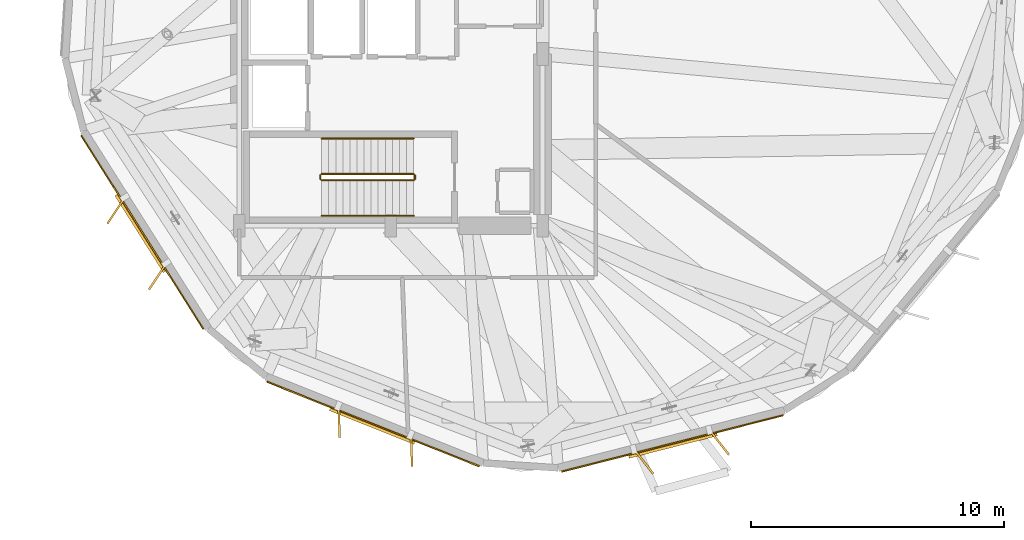
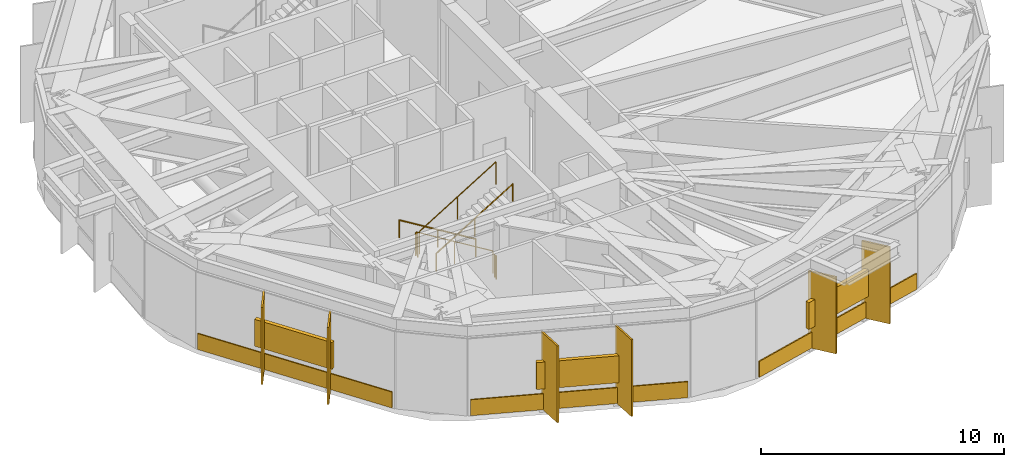
# One storey, part 11 of 13: 9 shading devices, 6 railings, 3 coverings.
"""IFC4 building model written with IfcOpenShell, lengths in metres."""

from ifc_helpers import new_model, si_unit, direction, frame, origin, origin_2d, place, context, subcontext, project, spatial, rectangle, circle, extrude, material, layer, layer_set, type_object, element, save


model = new_model("IFC4")

# Units and contexts
model_context = context("Model", 3, precision=1e-05, world=origin(), true_north=direction((0.0, 1.0)))
body_context = subcontext(model_context, "Body", "Model", "MODEL_VIEW")
ifc_project = project(units=[si_unit("LENGTHUNIT", "METRE"), si_unit("AREAUNIT", "SQUARE_METRE"), si_unit("VOLUMEUNIT", "CUBIC_METRE"), si_unit("PLANEANGLEUNIT", "RADIAN"), si_unit("MASSUNIT", "GRAM", prefix="KILO")], contexts=[model_context])

# Site, building, storey
site_placement = place(None, origin())
site = spatial("IfcSite", under=ifc_project, at=site_placement, CompositionType="ELEMENT")
building_placement = place(site_placement, origin())
building = spatial("IfcBuilding", under=site, at=building_placement, Name="Soratama Intermodal Tower", CompositionType="ELEMENT")
storey_placement = place(building_placement, frame((0.0, 0.0, 82.60009765625)))
storey = spatial("IfcBuildingStorey", under=building, at=storey_placement, Name="L19", CompositionType="ELEMENT", Elevation=82.60009765625)

# Coverings
ifc_material_1 = material(Name="Honed Andean limestone cladding", Category="masonry")
ifc_layer_1 = layer(ifc_material_1, 0.06005859375)
ifc_layer_set_1 = layer_set([ifc_layer_1], Name="Honed Andean limestone cladding")
covering_type = type_object("IfcCoveringType", Name="CV-STONE-CLAD", PredefinedType="CLADDING", material=ifc_layer_set_1)
for number, where, z_axis, x_axis, name in (
    (1, (28.76611328125, 14.7451171875, 0.0498046875), (0.0, 0.0, 1.0), (0.534057264801, -0.845448305879, 0.0), "L19 Stone Cladding F06"),
    (2, (37.89404296875, 7.16162109375, 0.0498046875), (0.0, 0.0, 1.0), (0.929003448964, -0.370071063192, 0.0), "L19 Stone Cladding F07"),
):
    element("IfcCovering", number, at=place(storey_placement, frame(where, z_axis=z_axis, x_axis=x_axis)), inside=storey, type_object=covering_type, Name=name, PredefinedType="CLADDING", context=body_context, shape_type="SweptSolid", body=[
        extrude(rectangle(XDim=9.044921875, YDim=0.06005859375, at=origin_2d()), origin(), (0.0, 0.0, 1.0), 0.800048828125),
    ])
covering_placement = place(storey_placement, frame((49.736328125, 6.3916015625, 0.0498046875), z_axis=(0.0, 0.0, 1.0), x_axis=(0.96910189129, 0.246660747381, 0.0)))
element("IfcCovering", 3, at=covering_placement, inside=storey, type_object=covering_type, Name="L19 Stone Cladding F08", PredefinedType="CLADDING", context=body_context, shape_type="SweptSolid", body=[
    extrude(rectangle(XDim=9.045166015625, YDim=0.06005859375, at=origin_2d()), origin(), (0.0, 0.0, 1.0), 0.800048828125),
])

# Railings
ifc_material_2 = material(Name="Painted steel stair guardrail", Category="steel")
railing_type_1 = type_object("IfcRailingType", Name="RL-STAIR-GUARD", PredefinedType="GUARDRAIL", material=ifc_material_2)
railing_1_placement = place(storey_placement, frame((39.5, 17.050048828125, 0.17138671875)))
element("IfcRailing", 4, at=railing_1_placement, inside=storey, type_object=railing_type_1, Name="L19 ST-1 stair guard 1", PredefinedType="GUARDRAIL", context=body_context, shape_type="SweptSolid", body=[
    extrude(circle(Radius=0.02392578125, at=origin_2d()), frame((0.0, 0.0, 1.1259765625), z_axis=(-0.852850264322, 0.0, 0.5221555579), x_axis=(0.0, -1.0, 0.0)), (0.0, 0.0, 1.0), 4.267822265625),
    extrude(circle(Radius=0.02099609375, at=origin_2d()), origin(), (0.0, 0.0, 1.0), 1.101806640625),
    extrude(circle(Radius=0.02099609375, at=origin_2d()), frame((-1.81982421875, 0.0, 1.1142578125)), (0.0, 0.0, 1.0), 1.101806640625),
    extrude(circle(Radius=0.02099609375, at=origin_2d()), frame((-3.639892578125, 0.0, 2.228515625)), (0.0, 0.0, 1.0), 1.101806640625),
])
railing_2_placement = place(storey_placement, frame((35.81005859375, 17.0, 2.39990234375)))
element("IfcRailing", 5, at=railing_2_placement, inside=storey, type_object=railing_type_1, Name="L19 ST-1 stair guard 2", PredefinedType="GUARDRAIL", context=body_context, shape_type="SweptSolid", body=[
    extrude(circle(Radius=0.02392578125, at=origin_2d()), frame((0.0, 0.0, 1.1259765625), z_axis=(0.0, -1.0, 0.0), x_axis=(1.0, 0.0, 0.0)), (0.0, 0.0, 1.0), 0.14990234375),
    extrude(circle(Radius=0.02099609375, at=origin_2d()), origin(), (0.0, 0.0, 1.0), 1.101806640625),
    extrude(circle(Radius=0.02099609375, at=origin_2d()), frame((0.0, -0.14990234375, 0.0)), (0.0, 0.0, 1.0), 1.101806640625),
])
railing_3_placement = place(storey_placement, frame((35.860107421875, 16.800048828125, 2.5712890625)))
element("IfcRailing", 6, at=railing_3_placement, inside=storey, type_object=railing_type_1, Name="L19 ST-1 stair guard 3", PredefinedType="GUARDRAIL", context=body_context, shape_type="SweptSolid", body=[
    extrude(circle(Radius=0.02392578125, at=origin_2d()), frame((0.0, 0.0, 1.1259765625), z_axis=(0.852850264322, 0.0, 0.5221555579), x_axis=(0.0, 1.0, 0.0)), (0.0, 0.0, 1.0), 4.267822265625),
    extrude(circle(Radius=0.02099609375, at=origin_2d()), origin(), (0.0, 0.0, 1.0), 1.101806640625),
    extrude(circle(Radius=0.02099609375, at=origin_2d()), frame((1.81982421875, 0.0, 1.1142578125)), (0.0, 0.0, 1.0), 1.101806640625),
    extrude(circle(Radius=0.02099609375, at=origin_2d()), frame((3.639892578125, 0.0, 2.228515625)), (0.0, 0.0, 1.0), 1.101806640625),
])
railing_4_placement = place(storey_placement, frame((39.550048828125, 17.0, 0.0)))
element("IfcRailing", 7, at=railing_4_placement, inside=storey, type_object=railing_type_1, Name="L19 ST-1 stair guard 4", PredefinedType="GUARDRAIL", context=body_context, shape_type="SweptSolid", body=[
    extrude(circle(Radius=0.02392578125, at=origin_2d()), frame((0.0, 0.0, 1.1259765625), z_axis=(0.0, -1.0, 0.0), x_axis=(1.0, 0.0, 0.0)), (0.0, 0.0, 1.0), 0.14990234375),
    extrude(circle(Radius=0.02099609375, at=origin_2d()), origin(), (0.0, 0.0, 1.0), 1.101806640625),
    extrude(circle(Radius=0.02099609375, at=origin_2d()), frame((0.0, -0.14990234375, 0.0)), (0.0, 0.0, 1.0), 1.101806640625),
])
ifc_material_3 = material(Name="Brushed stainless steel handrail", Category="steel")
railing_type_2 = type_object("IfcRailingType", Name="RL-STAIR-HAND", PredefinedType="HANDRAIL", material=ifc_material_3)
railing_5_placement = place(storey_placement, frame((39.5, 18.449951171875, 0.17138671875)))
element("IfcRailing", 8, at=railing_5_placement, inside=storey, type_object=railing_type_2, Name="L19 ST-1 stair handrail 1", PredefinedType="HANDRAIL", context=body_context, shape_type="SweptSolid", body=[
    extrude(circle(Radius=0.02392578125, at=origin_2d()), frame((0.0, 0.0, 0.8759765625), z_axis=(-0.852850264322, 0.0, 0.5221555579), x_axis=(0.0, -1.0, 0.0)), (0.0, 0.0, 1.0), 4.267822265625),
    extrude(circle(Radius=0.02099609375, at=origin_2d()), origin(), (0.0, 0.0, 1.0), 0.851806640625),
    extrude(circle(Radius=0.02099609375, at=origin_2d()), frame((-1.81982421875, 0.0, 1.1142578125)), (0.0, 0.0, 1.0), 0.851806640625),
    extrude(circle(Radius=0.02099609375, at=origin_2d()), frame((-3.639892578125, 0.0, 2.228515625)), (0.0, 0.0, 1.0), 0.851806640625),
])
railing_6_placement = place(storey_placement, frame((35.860107421875, 15.39990234375, 2.5712890625)))
element("IfcRailing", 9, at=railing_6_placement, inside=storey, type_object=railing_type_2, Name="L19 ST-1 stair handrail 2", PredefinedType="HANDRAIL", context=body_context, shape_type="SweptSolid", body=[
    extrude(circle(Radius=0.02392578125, at=origin_2d()), frame((0.0, 0.0, 0.8759765625), z_axis=(0.852850264322, 0.0, 0.5221555579), x_axis=(0.0, 1.0, 0.0)), (0.0, 0.0, 1.0), 4.267822265625),
    extrude(circle(Radius=0.02099609375, at=origin_2d()), origin(), (0.0, 0.0, 1.0), 0.851806640625),
    extrude(circle(Radius=0.02099609375, at=origin_2d()), frame((1.81982421875, 0.0, 1.1142578125)), (0.0, 0.0, 1.0), 0.851806640625),
    extrude(circle(Radius=0.02099609375, at=origin_2d()), frame((3.639892578125, 0.0, 2.228515625)), (0.0, 0.0, 1.0), 0.851806640625),
])

# Shading devices
ifc_material_4 = material(Name="Champagne anodised aluminium solar fin", Category="aluminium")
ifc_layer_2 = layer(ifc_material_4, 0.080078125)
ifc_layer_set_2 = layer_set([ifc_layer_2], Name="Champagne anodised aluminium solar fin")
shading_device_type_1 = type_object("IfcShadingDeviceType", Name="SH-FIN-1250", PredefinedType="USERDEFINED", material=ifc_layer_set_2)
for number, where, z_axis, x_axis, name in (
    (10, (27.73291015625, 15.60498046875, 0.02001953125), (0.0, 0.0, 1.0), (-0.555134800412, -0.831760394207, 0.0), "L19 Solar Fin F06-1"),
    (11, (29.37890625, 12.99951171875, 0.02001953125), (0.0, 0.0, 1.0), (-0.555134800412, -0.831760394207, 0.0), "L19 Solar Fin F06-2"),
    (12, (36.552978515625, 7.25, 0.02001953125), (0.0, 0.0, 1.0), (0.039783005453, -0.999208342878, 0.0), "L19 Solar Fin F07-1"),
    (13, (39.416015625, 6.109375, 0.02001953125), (0.0, 0.0, 1.0), (0.039783005453, -0.999208342878, 0.0), "L19 Solar Fin F07-2"),
    (14, (48.599365234375, 5.6748046875, 0.02001953125), (0.0, 0.0, 1.0), (0.61950505541, -0.784992666412, 0.0), "L19 Solar Fin F08-1"),
    (15, (51.5859375, 6.434814453125, 0.02001953125), (0.0, 0.0, 1.0), (0.61950505541, -0.784992666412, 0.0), "L19 Solar Fin F08-2"),
):
    element("IfcShadingDevice", number, at=place(storey_placement, frame(where, z_axis=z_axis, x_axis=x_axis)), inside=storey, type_object=shading_device_type_1, Name=name, ObjectType="FIN", PredefinedType="USERDEFINED", context=body_context, shape_type="SweptSolid", body=[
        extrude(rectangle(XDim=1.25, YDim=0.080078125, at=origin_2d()), origin(), (0.0, 0.0, 1.0), 3.85888671875),
    ])
ifc_material_5 = material(Name="Anodised aluminium weather louvre", Category="aluminium")
ifc_layer_3 = layer(ifc_material_5, 0.1201171875)
ifc_layer_set_3 = layer_set([ifc_layer_3], Name="Anodised aluminium weather louvre")
shading_device_type_2 = type_object("IfcShadingDeviceType", Name="SH-LOUVRE-PLANT", PredefinedType="JALOUSIE", material=ifc_layer_set_3)
for number, where, z_axis, x_axis, name in (
    (16, (28.71533203125, 14.713134765625, 1.1748046875), (0.0, 0.0, 1.0), (0.534057264801, -0.845448305879, 0.0), "L19 Acoustic Louvre F06"),
    (17, (37.871826171875, 7.105712890625, 1.1748046875), (0.0, 0.0, 1.0), (0.929003448964, -0.370071063192, 0.0), "L19 Acoustic Louvre F07"),
    (18, (49.751220703125, 6.33349609375, 1.1748046875), (0.0, 0.0, 1.0), (0.96910189129, 0.246660747381, 0.0), "L19 Acoustic Louvre F08"),
):
    element("IfcShadingDevice", number, at=place(storey_placement, frame(where, z_axis=z_axis, x_axis=x_axis)), inside=storey, type_object=shading_device_type_2, Name=name, PredefinedType="JALOUSIE", context=body_context, shape_type="SweptSolid", body=[
        extrude(rectangle(XDim=3.60009765625, YDim=0.179931640625, at=origin_2d()), origin(), (0.0, 0.0, 1.0), 1.35009765625),
    ])

save(model, "model.ifc")
